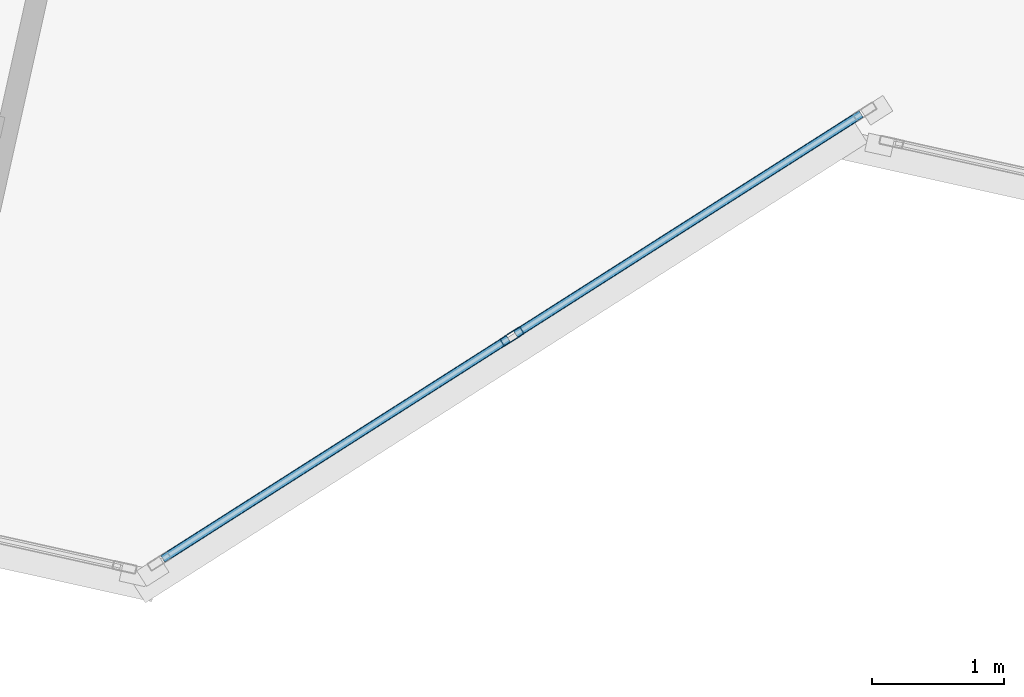
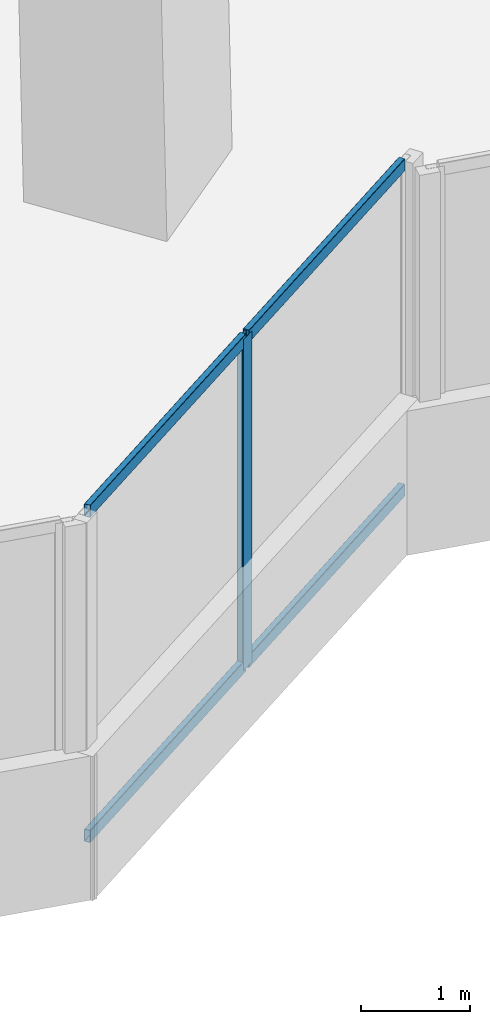
# One storey, part 5 of 25: 5 members, 1 element without a shape of its own.
"""IFC4 building model written with IfcOpenShell, lengths in metres."""

import ifcopenshell
import ifcopenshell.guid

model = None  # the IFC model being written
_history = None  # IfcOwnerHistory: only IFC2X3 demands one
_inside = {}  # id of a spatial element -> (the spatial element, [elements in it])
_under = {}  # id of a project, library or spatial element -> (it, [spatial elements below it])
_declared = {}  # id of a project -> (the project, [libraries it declares])
_typed = {}  # id of a type object -> (the type object, [elements of that type])
_made_of = {}  # id of a material, layer set ... -> (it, [elements and type objects made of it])


def new_model(schema):
    """Start an empty IFC model of exactly this schema.

    Asked for "IFC4X3", IfcOpenShell would pick the latest addendum, in which some entities
    have other attributes; the version numbers below select the first issue.
    IFC2X3 requires an IfcOwnerHistory on every rooted entity: one is made here for all.
    """
    global model, _history
    if schema == "IFC4X3":
        model = ifcopenshell.file(schema_version=(4, 3, 0, 0))
    else:
        model = ifcopenshell.file(schema=schema)
    _inside.clear()
    _under.clear()
    _declared.clear()
    _typed.clear()
    _made_of.clear()
    _history = None
    if model.schema == "IFC2X3":
        org = make("IfcOrganization", Name="unknown")
        user = make(
            "IfcPersonAndOrganization",
            ThePerson=make("IfcPerson", FamilyName="unknown"),
            TheOrganization=org,
        )
        app = make(
            "IfcApplication",
            ApplicationDeveloper=org,
            Version="unknown",
            ApplicationFullName="unknown",
            ApplicationIdentifier="unknown",
        )
        _history = make(
            "IfcOwnerHistory",
            OwningUser=user,
            OwningApplication=app,
            ChangeAction="ADDED",
            CreationDate=0,
        )
    return model


def make(cls, **values):
    """One entity of the class cls with the attributes given. An attribute that is None is left unset."""
    return model.create_entity(
        cls, **{name: value for name, value in values.items() if value is not None}
    )


def rooted(cls, **values):
    """An entity with a GlobalId (a new one), such as an element, a storey or a relation."""
    return make(cls, GlobalId=ifcopenshell.guid.new(), OwnerHistory=_history, **values)


def si_unit(unit_type, name, prefix=None):
    """IfcSIUnit, for example si_unit("LENGTHUNIT", "METRE", prefix="MILLI")."""
    return make("IfcSIUnit", UnitType=unit_type, Prefix=prefix, Name=name)


def assignment(units):
    """IfcUnitAssignment: the units of a project."""
    return None if units is None else make("IfcUnitAssignment", Units=units)


def point(xyz):
    """IfcCartesianPoint."""
    return None if xyz is None else make("IfcCartesianPoint", Coordinates=xyz)


def direction(xyz):
    """IfcDirection."""
    return None if xyz is None else make("IfcDirection", DirectionRatios=xyz)


def frame(location, z_axis=None, x_axis=None):
    """IfcAxis2Placement3D, a coordinate frame: its origin and axes. An axis left out is left unset."""
    return make(
        "IfcAxis2Placement3D",
        Location=point(location),
        Axis=direction(z_axis),
        RefDirection=direction(x_axis),
    )


def frame_2d(location, x_axis=None):
    """IfcAxis2Placement2D, a coordinate frame in the plane: its origin and x axis."""
    return make(
        "IfcAxis2Placement2D", Location=point(location), RefDirection=direction(x_axis)
    )


def origin():
    """The frame at (0, 0, 0) with its axes left unset."""
    return frame((0.0, 0.0, 0.0))


def origin_2d():
    """The frame at (0, 0) in the plane with its x axis left unset."""
    return frame_2d((0.0, 0.0))


def place(relative_to, where):
    """IfcLocalPlacement: puts the frame where relative to a parent placement (None: the world)."""
    return make(
        "IfcLocalPlacement", PlacementRelTo=relative_to, RelativePlacement=where
    )


def context(
    kind, dimensions, precision=None, world=None, true_north=None, identifier=None
):
    """IfcGeometricRepresentationContext, for example the 3D "Model" context."""
    return make(
        "IfcGeometricRepresentationContext",
        ContextIdentifier=identifier,
        ContextType=kind,
        CoordinateSpaceDimension=dimensions,
        Precision=precision,
        WorldCoordinateSystem=world,
        TrueNorth=true_north,
    )


def subcontext(parent, identifier, kind, view, scale=None):
    """IfcGeometricRepresentationSubContext, for example "Body" below "Model"."""
    return make(
        "IfcGeometricRepresentationSubContext",
        ContextIdentifier=identifier,
        ContextType=kind,
        ParentContext=parent,
        TargetScale=scale,
        TargetView=view,
    )


def project(units=None, contexts=None):
    """IfcProject with its units and contexts."""
    return rooted(
        "IfcProject",
        Name="project",
        RepresentationContexts=contexts,
        UnitsInContext=assignment(units),
    )


def spatial(cls, under=None, at=None, **own):
    """A site, building, storey or space (cls), placed at a placement, below another one or the project."""
    s = rooted(cls, ObjectPlacement=at, **own)
    if under is not None:
        _under.setdefault(under.id(), (under, []))[1].append(s)
    return s


def profile(cls, at=None, kind="AREA", **sizes):
    """A parametric profile (cls). Its sizes go by their IFC names, for example OverallWidth=200.0."""
    return make(cls, ProfileType=kind, Position=at, **sizes)


def hollow_rectangle(**sizes):
    """IfcRectangleHollowProfileDef."""
    return profile("IfcRectangleHollowProfileDef", **sizes)


def extrude(swept, where, along, depth):
    """IfcExtrudedAreaSolid: the profile swept, set in the frame where, extruded along a direction by depth."""
    return make(
        "IfcExtrudedAreaSolid",
        SweptArea=swept,
        Position=where,
        ExtrudedDirection=direction(along),
        Depth=depth,
    )


def shape(context_of_items, identifier, shape_type, items):
    """IfcShapeRepresentation: the items that make up one representation, for example the "Body"."""
    return make(
        "IfcShapeRepresentation",
        ContextOfItems=context_of_items,
        RepresentationIdentifier=identifier,
        RepresentationType=shape_type,
        Items=items,
    )


def source(mapping_origin, context_of_items, identifier, shape_type, items):
    """IfcRepresentationMap: a shape defined once, which mapped items show again and again."""
    return make(
        "IfcRepresentationMap",
        MappingOrigin=mapping_origin,
        MappedRepresentation=shape(context_of_items, identifier, shape_type, items),
    )


def transform(
    local_origin,
    x_axis=None,
    y_axis=None,
    z_axis=None,
    scale=None,
    scale2=None,
    scale3=None,
    uniform=True,
):
    """IfcCartesianTransformationOperator3D, or its non-uniform kind. x_axis, y_axis, z_axis: its Axis1, 2, 3."""
    if uniform:
        return make(
            "IfcCartesianTransformationOperator3D",
            Axis1=direction(x_axis),
            Axis2=direction(y_axis),
            LocalOrigin=point(local_origin),
            Scale=scale,
            Axis3=direction(z_axis),
        )
    return make(
        "IfcCartesianTransformationOperator3DnonUniform",
        Axis1=direction(x_axis),
        Axis2=direction(y_axis),
        LocalOrigin=point(local_origin),
        Scale=scale,
        Axis3=direction(z_axis),
        Scale2=scale2,
        Scale3=scale3,
    )


def mapped(mapping_source, mapping_target):
    """IfcMappedItem: shows the shape of a source again, moved by a transform."""
    return make(
        "IfcMappedItem", MappingSource=mapping_source, MappingTarget=mapping_target
    )


def material(Name=None, Category=None):
    """IfcMaterial."""
    return make("IfcMaterial", Name=Name, Category=Category)


def material_profile(
    of_material, cross_section, Name=None, Category=None, Priority=None
):
    """IfcMaterialProfile: a cross section and its material."""
    return make(
        "IfcMaterialProfile",
        Name=Name,
        Material=of_material,
        Profile=cross_section,
        Priority=Priority,
        Category=Category,
    )


def profile_set(profiles, Name=None, composite=None):
    """IfcMaterialProfileSet."""
    return make(
        "IfcMaterialProfileSet",
        Name=Name,
        MaterialProfiles=profiles,
        CompositeProfile=composite,
    )


def made_of(thing, what):
    """Note that an element or type object is made of a material, layer set ...; save() writes the relation."""
    if what is not None:
        _made_of.setdefault(what.id(), (what, []))[1].append(thing)
    return thing


def type_object(cls, material=None, **own):
    """A type object (cls), such as IfcWallType, which elements share."""
    return made_of(rooted(cls, **own), material)


def element(
    cls,
    number,
    at=None,
    inside=None,
    cuts=None,
    type_object=None,
    material=None,
    context=None,
    identifier="Body",
    shape_type=None,
    held_by="IfcProductDefinitionShape",
    body=None,
    shapes=None,
    **own,
):
    """One element of the class cls, such as IfcWall. Its Tag is "e" and its number.

    at: its placement. inside: the storey or other place that contains it. cuts: it is an
    opening in that element (IfcRelVoidsElement). A single representation is given by context,
    identifier, shape_type and body (its items); several are given by shapes. held_by: the class
    of the entity that holds the representations. save() writes the other relations.
    """
    e = rooted(cls, Tag="e%d" % number, ObjectPlacement=at, **own)
    if body is not None:
        shapes = [shape(context, identifier, shape_type, body)]
    if shapes is not None:
        e.Representation = make(held_by, Representations=shapes)
    if inside is not None:
        _inside.setdefault(inside.id(), (inside, []))[1].append(e)
    if cuts is not None:
        rooted(
            "IfcRelVoidsElement", RelatingBuildingElement=cuts, RelatedOpeningElement=e
        )
    if type_object is not None:
        _typed.setdefault(type_object.id(), (type_object, []))[1].append(e)
    return made_of(e, material)


def aggregate(whole, parts):
    """IfcRelAggregates: a whole, such as a stair, and the parts it consists of."""
    return rooted("IfcRelAggregates", RelatingObject=whole, RelatedObjects=parts)


def save(model, path):
    """Write the relations noted so far, then the file.

    IfcRelAggregates (storeys below a building ...), IfcRelContainedInSpatialStructure (elements
    in a storey), IfcRelDefinesByType, IfcRelAssociatesMaterial and IfcRelDeclares: one each for
    every whole, place, type object, material and project.
    """
    for whole, parts in _under.values():
        aggregate(whole, parts)
    for where, things in _inside.values():
        rooted(
            "IfcRelContainedInSpatialStructure",
            RelatedElements=things,
            RelatingStructure=where,
        )
    for kind, things in _typed.values():
        rooted("IfcRelDefinesByType", RelatedObjects=things, RelatingType=kind)
    for what, things in _made_of.values():
        rooted("IfcRelAssociatesMaterial", RelatedObjects=things, RelatingMaterial=what)
    for by, libraries in _declared.values():
        rooted("IfcRelDeclares", RelatingContext=by, RelatedDefinitions=libraries)
    model.write(path)


model = new_model("IFC4")

# Units and contexts
model_context = context("Model", 3, precision=1e-05, world=origin(), true_north=direction((0.0, 1.0)))
body_context = subcontext(model_context, "Body", "Model", "MODEL_VIEW")
ifc_project = project(units=[si_unit("LENGTHUNIT", "METRE"), si_unit("AREAUNIT", "SQUARE_METRE"), si_unit("VOLUMEUNIT", "CUBIC_METRE"), si_unit("PLANEANGLEUNIT", "RADIAN"), si_unit("MASSUNIT", "GRAM", prefix="KILO")], contexts=[model_context])

# Site, building, storey
site_placement = place(None, origin())
site = spatial("IfcSite", under=ifc_project, at=site_placement, CompositionType="ELEMENT")
building_placement = place(site_placement, origin())
building = spatial("IfcBuilding", under=site, at=building_placement, Name="Torre Montelarca", CompositionType="ELEMENT")
storey_placement = place(building_placement, frame((0.0, 0.0, 91.60009765625)))
storey = spatial("IfcBuildingStorey", under=building, at=storey_placement, Name="L20", CompositionType="ELEMENT", Elevation=91.60009765625)

# Curtain wall, members
ifc_material_1 = material(Name="Insulated low-E laminated glass", Category="glass")
curtain_wall_type = type_object("IfcCurtainWallType", Name="CW-SYS-Z1", PredefinedType="USERDEFINED", material=ifc_material_1)
curtain_wall_placement = place(storey_placement, origin())
curtain_wall = element("IfcCurtainWall", 1, at=curtain_wall_placement, inside=storey, type_object=curtain_wall_type, Name="L20 Curtain Wall Run CW-T3-L20-E02-B1", ObjectType="UNITISED GLAZING", PredefinedType="USERDEFINED")
ifc_material_2 = material(Name="Anodised aluminium AA 6063-T6", Category="aluminium")
ifc_material_profile_1 = material_profile(ifc_material_2, hollow_rectangle(XDim=0.06494140625, YDim=0.139892578125, WallThickness=0.00390625, InnerFilletRadius=0.00390625, OuterFilletRadius=0.008056640625, at=origin_2d()), Name="ALU65X140X4", Category="aluminium")
ifc_profile_set_1 = profile_set([ifc_material_profile_1], Name="Anodised aluminium AA 6063-T6")
member_type_1 = type_object("IfcMemberType", Name="CWT-ALU140", PredefinedType="USERDEFINED", material=ifc_profile_set_1)
shared_shape_1 = source(origin(), body_context, "Body", "SweptSolid", [
    extrude(hollow_rectangle(XDim=0.06494140625, YDim=0.139892578125, WallThickness=0.00390625, InnerFilletRadius=0.00390625, OuterFilletRadius=0.008056640625, at=origin_2d()), origin(), (0.0, 0.0, 1.0), 3.102294921875),
])
member_1_placement = place(storey_placement, frame((30.99853515625, 13.8076171875, 0.032470703125), z_axis=(0.843372972442, 0.537328604631, 0.0), x_axis=(-0.537328604631, 0.843372972442, 0.0)))
member_1 = element("IfcMember", 2, at=member_1_placement, type_object=member_type_1, Name="CW transom 2.1", ObjectType="TRANSOM", PredefinedType="USERDEFINED", context=body_context, shape_type="MappedRepresentation", body=[
    mapped(shared_shape_1, transform((0.0, 0.0, 0.0), scale=1.0)),
])
member_2_placement = place(storey_placement, frame((30.99853515625, 13.8076171875, 3.6875), z_axis=(0.843372972442, 0.537328604631, 0.0), x_axis=(-0.537328604631, 0.843372972442, 0.0)))
member_2 = element("IfcMember", 3, at=member_2_placement, type_object=member_type_1, Name="CW transom 2.2", ObjectType="TRANSOM", PredefinedType="USERDEFINED", context=body_context, shape_type="MappedRepresentation", body=[
    mapped(shared_shape_1, transform((0.0, 0.0, 0.0), scale=1.0)),
])
shared_shape_2 = source(origin(), body_context, "Body", "SweptSolid", [
    extrude(hollow_rectangle(XDim=0.06494140625, YDim=0.139892578125, WallThickness=0.00390625, InnerFilletRadius=0.00390625, OuterFilletRadius=0.008056640625, at=origin_2d()), origin(), (0.0, 0.0, 1.0), 3.1025390625),
])
member_3_placement = place(storey_placement, frame((28.3271484375, 12.105712890625, 0.032470703125), z_axis=(0.843395691124, 0.537292944485, 0.0), x_axis=(-0.537292944485, 0.843395691124, 0.0)))
member_3 = element("IfcMember", 4, at=member_3_placement, type_object=member_type_1, Name="CW transom 1.1", ObjectType="TRANSOM", PredefinedType="USERDEFINED", context=body_context, shape_type="MappedRepresentation", body=[
    mapped(shared_shape_2, transform((0.0, 0.0, 0.0), scale=1.0)),
])
member_4_placement = place(storey_placement, frame((28.3271484375, 12.105712890625, 3.6875), z_axis=(0.843395691124, 0.537292944485, 0.0), x_axis=(-0.537292944485, 0.843395691124, 0.0)))
member_4 = element("IfcMember", 5, at=member_4_placement, type_object=member_type_1, Name="CW transom 1.2", ObjectType="TRANSOM", PredefinedType="USERDEFINED", context=body_context, shape_type="MappedRepresentation", body=[
    mapped(shared_shape_2, transform((0.0, 0.0, 0.0), scale=1.0)),
])
ifc_material_profile_2 = material_profile(ifc_material_2, hollow_rectangle(XDim=0.06494140625, YDim=0.179931640625, WallThickness=0.00390625, InnerFilletRadius=0.00390625, OuterFilletRadius=0.008056640625, at=origin_2d()), Name="ALU65X180X4", Category="aluminium")
ifc_profile_set_2 = profile_set([ifc_material_profile_2], Name="Anodised aluminium AA 6063-T6")
member_type_2 = type_object("IfcMemberType", Name="CWM-ALU180", PredefinedType="MULLION", material=ifc_profile_set_2)
shared_shape_3 = source(origin(), body_context, "Body", "SweptSolid", [
    extrude(hollow_rectangle(XDim=0.06494140625, YDim=0.179931640625, WallThickness=0.00390625, InnerFilletRadius=0.00390625, OuterFilletRadius=0.008056640625, at=origin_2d()), origin(), (0.0, 0.0, 1.0), 3.719970703125),
])
member_5_placement = place(storey_placement, frame((30.97119140625, 13.790283203125, 0.0), z_axis=(0.0, 0.0, 1.0), x_axis=(-0.537312197398, 0.843383425571, 0.0)))
member_5 = element("IfcMember", 6, at=member_5_placement, type_object=member_type_2, Name="CW mullion 2", PredefinedType="MULLION", context=body_context, shape_type="MappedRepresentation", body=[
    mapped(shared_shape_3, transform((0.0, 0.0, 0.0), scale=1.0)),
])
aggregate(curtain_wall, [member_5, member_3, member_4, member_1, member_2])

save(model, "model.ifc")
